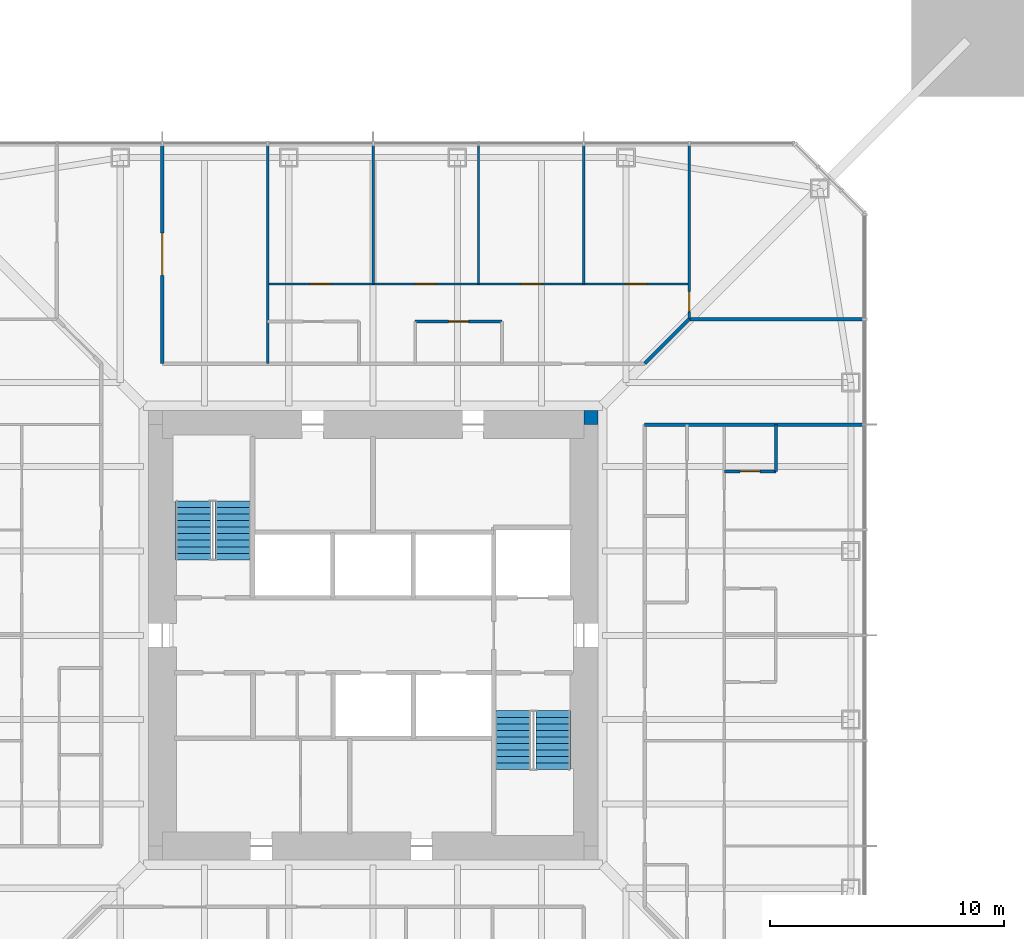
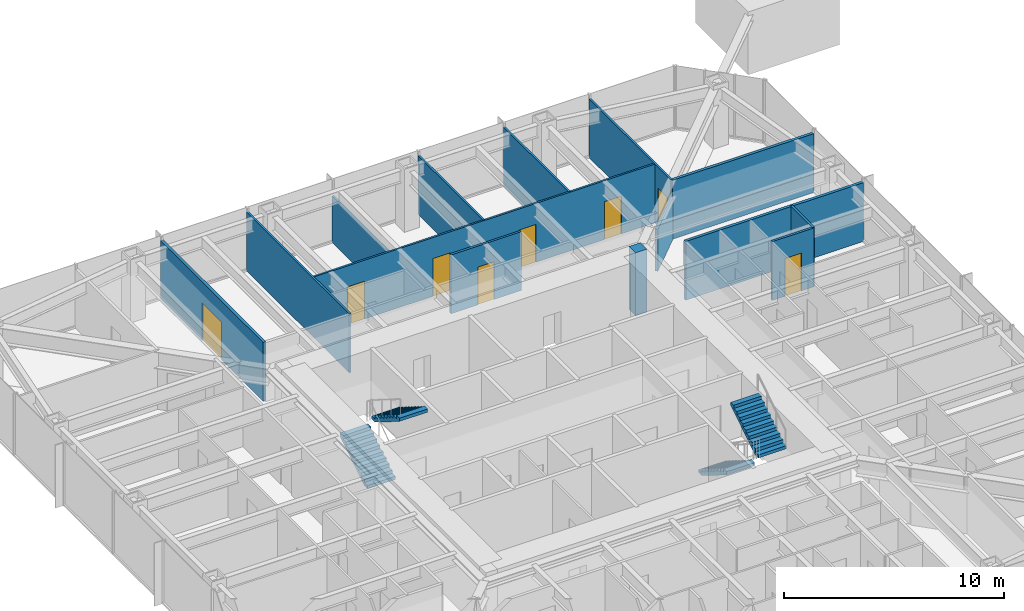
# One storey, part 10 of 14: 14 walls, 8 doors, 4 stair flights, 8 openings, 2 elements without a shape of their own.
"""IFC4 building model written with IfcOpenShell, lengths in metres."""

from ifc_helpers import new_model, si_unit, direction, frame, frame_2d, origin, place, context, subcontext, project, spatial, polyline, rectangle, outline, extrude, material, layer, layer_set, constituent, constituent_set, type_object, element, fill, aggregate, save


model = new_model("IFC4")

# Units and contexts
model_context = context("Model", 3, precision=1e-05, world=origin(), true_north=direction((0.0, 1.0)))
body_context = subcontext(model_context, "Body", "Model", "MODEL_VIEW")
ifc_project = project(units=[si_unit("LENGTHUNIT", "METRE"), si_unit("AREAUNIT", "SQUARE_METRE"), si_unit("VOLUMEUNIT", "CUBIC_METRE"), si_unit("PLANEANGLEUNIT", "RADIAN"), si_unit("MASSUNIT", "GRAM", prefix="KILO")], contexts=[model_context])

# Site, building, storey
site_placement = place(None, origin())
site = spatial("IfcSite", under=ifc_project, at=site_placement, CompositionType="ELEMENT")
building_placement = place(site_placement, origin())
building = spatial("IfcBuilding", under=site, at=building_placement, Name="Iwan Alto Co-Living Towers", CompositionType="ELEMENT")
storey_placement = place(building_placement, frame((0.0, 0.0, 136.5)))
storey = spatial("IfcBuildingStorey", under=building, at=storey_placement, Name="L37", CompositionType="ELEMENT", Elevation=136.5)

# Walls
ifc_material_1 = material(Name="Gypsum board")
ifc_layer_1 = layer(ifc_material_1, 0.02490234375, Name="Board", Category="Finish")
ifc_material_2 = material(Name="Steel ASTM A1003 ST33H cold-formed studs", Category="steel")
ifc_layer_2 = layer(ifc_material_2, 0.10009765625, Name="Studs", Category="Framing")
ifc_layer_3 = layer(ifc_material_1, 0.02490234375, Name="Board", Category="Finish")
ifc_layer_set_1 = layer_set([ifc_layer_1, ifc_layer_2, ifc_layer_3], Name="CORRIDOR WALL 150")
wall_type_1 = type_object("IfcWallType", Name="CORRIDOR WALL 150", PredefinedType="PARTITIONING", material=ifc_layer_set_1)
wall_1_placement = place(storey_placement, frame((11.60009765625, 9.0, 0.0), z_axis=(0.0, 0.0, 1.0), x_axis=(1.0, 0.0, 0.0)))
element("IfcWall", 1, at=wall_1_placement, inside=storey, type_object=wall_type_1, Name="Partition L37", PredefinedType="PARTITIONING", context=body_context, shape_type="SweptSolid", body=[
    extrude(rectangle(XDim=9.33984375, YDim=0.14990234375, at=frame_2d((4.669921875, 0.0))), origin(), (0.0, 0.0, 1.0), 3.27001953125),
])
wall_2_placement = place(storey_placement, frame((13.5, 13.5, 0.0), z_axis=(0.0, 0.0, 1.0), x_axis=(1.0, 0.0, 0.0)))
element("IfcWall", 2, at=wall_2_placement, inside=storey, type_object=wall_type_1, Name="Partition L37", PredefinedType="PARTITIONING", context=body_context, shape_type="SweptSolid", body=[
    extrude(rectangle(XDim=7.43994140625, YDim=0.14990234375, at=frame_2d((3.719970703125, 0.0))), origin(), (0.0, 0.0, 1.0), 3.27001953125),
])
wall_3_placement = place(storey_placement, frame((11.60009765625, 11.60009765625, 0.0), z_axis=(0.0, 0.0, 1.0), x_axis=(0.707106781187, 0.707106781187, 0.0)))
element("IfcWall", 3, at=wall_3_placement, inside=storey, type_object=wall_type_1, Name="Partition L37", PredefinedType="PARTITIONING", context=body_context, shape_type="SweptSolid", body=[
    extrude(rectangle(XDim=2.686767578125, YDim=0.14990234375, at=frame_2d((1.34326171875, 0.0))), origin(), (0.0, 0.0, 1.0), 2.343017578125),
])

# Wall, opening, door
wall_4_placement = place(storey_placement, frame((-9.0, 11.60009765625, 0.0), z_axis=(0.0, 0.0, 1.0), x_axis=(0.0, 1.0, 0.0)))
wall_4 = element("IfcWall", 4, at=wall_4_placement, inside=storey, type_object=wall_type_1, Name="Partition L37", PredefinedType="PARTITIONING", context=body_context, shape_type="SweptSolid", body=[
    extrude(rectangle(XDim=9.33984375, YDim=0.14990234375, at=frame_2d((4.669921875, 0.0))), origin(), (0.0, 0.0, 1.0), 3.27001953125),
])
opening_1_placement = place(wall_4_placement, frame((3.77001953125, 0.0, 0.0)))
opening_1 = element("IfcOpeningElement", 5, at=opening_1_placement, cuts=wall_4, Name="Opening D9", PredefinedType="OPENING", context=body_context, shape_type="SweptSolid", body=[
    extrude(rectangle(XDim=1.800048828125, YDim=2.10009765625, at=frame_2d((0.89990234375, 1.050048828125))), frame((0.0, 0.0849609375, 0.0), z_axis=(0.0, -1.0, 0.0), x_axis=(1.0, 0.0, 0.0)), (0.0, 0.0, 1.0), 0.169921875),
])
ifc_material_3 = material(Name="Steel frame with timber leaf", Category="steel")
door_type_1 = type_object("IfcDoorType", Name="LOUNGE DOOR FD30S 1800X2100", OperationType="DOUBLE_DOOR_SINGLE_SWING", PredefinedType="DOOR", material=ifc_material_3)
door_1_placement = place(opening_1_placement, frame((1.800048828125, 0.0, 0.0), z_axis=(0.0, 0.0, 1.0), x_axis=(-1.0, 0.0, 0.0)))
door_1 = element("IfcDoor", 6, at=door_1_placement, inside=storey, type_object=door_type_1, Name="Reading room door L37", OperationType="DOUBLE_DOOR_SINGLE_SWING", OverallHeight=2.10009765625, OverallWidth=1.800048828125, PredefinedType="DOOR", context=body_context, shape_type="SweptSolid", body=[
    extrude(rectangle(XDim=1.800048828125, YDim=2.10009765625, at=frame_2d((0.89990234375, 1.050048828125))), frame((0.0, 0.02490234375, 0.0), z_axis=(0.0, -1.0, 0.0), x_axis=(1.0, 0.0, 0.0)), (0.0, 0.0, 1.0), 0.050048828125),
])
fill(opening_1, door_1)

# Wall, openings, doors
ifc_layer_4 = layer(ifc_material_1, 0.012451171875, Name="Board", Category="Finish")
ifc_layer_5 = layer(ifc_material_2, 0.074951171875, Name="Studs", Category="Framing")
ifc_layer_6 = layer(ifc_material_1, 0.012451171875, Name="Board", Category="Finish")
ifc_layer_set_2 = layer_set([ifc_layer_4, ifc_layer_5, ifc_layer_6], Name="PARTITION 100")
wall_type_2 = type_object("IfcWallType", Name="PARTITION 100", PredefinedType="PARTITIONING", material=ifc_layer_set_2)
wall_5_placement = place(storey_placement, frame((-4.5, 15.0, 0.0), z_axis=(0.0, 0.0, 1.0), x_axis=(1.0, 0.0, 0.0)))
wall_5 = element("IfcWall", 7, at=wall_5_placement, inside=storey, type_object=wall_type_2, Name="Partition L37", PredefinedType="PARTITIONING", context=body_context, shape_type="SweptSolid", body=[
    extrude(rectangle(XDim=18.0, YDim=0.10009765625, at=frame_2d((9.0, 0.0))), origin(), (0.0, 0.0, 1.0), 3.27001953125),
])
opening_2_placement = place(wall_5_placement, frame((15.300048828125, 0.0, 0.0)))
opening_2 = element("IfcOpeningElement", 8, at=opening_2_placement, cuts=wall_5, Name="Opening D1", PredefinedType="OPENING", context=body_context, shape_type="SweptSolid", body=[
    extrude(rectangle(XDim=0.89990234375, YDim=2.10009765625, at=frame_2d((0.449951171875, 1.050048828125))), frame((0.0, 0.06005859375, 0.0), z_axis=(0.0, -1.0, 0.0), x_axis=(1.0, 0.0, 0.0)), (0.0, 0.0, 1.0), 0.1201171875),
])
opening_3_placement = place(wall_5_placement, frame((10.800048828125, 0.0, 0.0)))
opening_3 = element("IfcOpeningElement", 9, at=opening_3_placement, cuts=wall_5, Name="Opening D1", PredefinedType="OPENING", context=body_context, shape_type="SweptSolid", body=[
    extrude(rectangle(XDim=0.89990234375, YDim=2.10009765625, at=frame_2d((0.449951171875, 1.050048828125))), frame((0.0, 0.06005859375, 0.0), z_axis=(0.0, -1.0, 0.0), x_axis=(1.0, 0.0, 0.0)), (0.0, 0.0, 1.0), 0.1201171875),
])
opening_4_placement = place(wall_5_placement, frame((6.300048828125, 0.0, 0.0)))
opening_4 = element("IfcOpeningElement", 10, at=opening_4_placement, cuts=wall_5, Name="Opening D1", PredefinedType="OPENING", context=body_context, shape_type="SweptSolid", body=[
    extrude(rectangle(XDim=0.89990234375, YDim=2.10009765625, at=frame_2d((0.449951171875, 1.050048828125))), frame((0.0, 0.06005859375, 0.0), z_axis=(0.0, -1.0, 0.0), x_axis=(1.0, 0.0, 0.0)), (0.0, 0.0, 1.0), 0.1201171875),
])
opening_5_placement = place(wall_5_placement, frame((1.800048828125, 0.0, 0.0)))
opening_5 = element("IfcOpeningElement", 11, at=opening_5_placement, cuts=wall_5, Name="Opening D1", PredefinedType="OPENING", context=body_context, shape_type="SweptSolid", body=[
    extrude(rectangle(XDim=0.89990234375, YDim=2.10009765625, at=frame_2d((0.449951171875, 1.050048828125))), frame((0.0, 0.06005859375, 0.0), z_axis=(0.0, -1.0, 0.0), x_axis=(1.0, 0.0, 0.0)), (0.0, 0.0, 1.0), 0.1201171875),
])
ifc_material_4 = material(Name="Timber leaf in steel frame", Category="steel")
door_type_2 = type_object("IfcDoorType", Name="BEDROOM DOOR 900X2100", OperationType="SINGLE_SWING_LEFT", PredefinedType="DOOR", material=ifc_material_4)
door_2_placement = place(opening_2_placement, frame((0.89990234375, 0.0, 0.0), z_axis=(0.0, 0.0, 1.0), x_axis=(-1.0, 0.0, 0.0)))
door_2 = element("IfcDoor", 12, at=door_2_placement, inside=storey, type_object=door_type_2, Name="Study bedroom door L37", OperationType="SINGLE_SWING_LEFT", OverallHeight=2.10009765625, OverallWidth=0.89990234375, PredefinedType="DOOR", context=body_context, shape_type="SweptSolid", body=[
    extrude(rectangle(XDim=0.89990234375, YDim=2.10009765625, at=frame_2d((0.449951171875, 1.050048828125))), frame((0.0, 0.02490234375, 0.0), z_axis=(0.0, -1.0, 0.0), x_axis=(1.0, 0.0, 0.0)), (0.0, 0.0, 1.0), 0.050048828125),
])
fill(opening_2, door_2)
door_3_placement = place(opening_3_placement, frame((0.89990234375, 0.0, 0.0), z_axis=(0.0, 0.0, 1.0), x_axis=(-1.0, 0.0, 0.0)))
door_3 = element("IfcDoor", 13, at=door_3_placement, inside=storey, type_object=door_type_2, Name="Study bedroom door L37", OperationType="SINGLE_SWING_LEFT", OverallHeight=2.10009765625, OverallWidth=0.89990234375, PredefinedType="DOOR", context=body_context, shape_type="SweptSolid", body=[
    extrude(rectangle(XDim=0.89990234375, YDim=2.10009765625, at=frame_2d((0.449951171875, 1.050048828125))), frame((0.0, 0.02490234375, 0.0), z_axis=(0.0, -1.0, 0.0), x_axis=(1.0, 0.0, 0.0)), (0.0, 0.0, 1.0), 0.050048828125),
])
fill(opening_3, door_3)
door_4_placement = place(opening_4_placement, frame((0.89990234375, 0.0, 0.0), z_axis=(0.0, 0.0, 1.0), x_axis=(-1.0, 0.0, 0.0)))
door_4 = element("IfcDoor", 14, at=door_4_placement, inside=storey, type_object=door_type_2, Name="Study bedroom door L37", OperationType="SINGLE_SWING_RIGHT", OverallHeight=2.10009765625, OverallWidth=0.89990234375, PredefinedType="DOOR", context=body_context, shape_type="SweptSolid", body=[
    extrude(rectangle(XDim=0.89990234375, YDim=2.10009765625, at=frame_2d((0.449951171875, 1.050048828125))), frame((0.0, 0.02490234375, 0.0), z_axis=(0.0, -1.0, 0.0), x_axis=(1.0, 0.0, 0.0)), (0.0, 0.0, 1.0), 0.050048828125),
])
fill(opening_4, door_4)
door_5_placement = place(opening_5_placement, frame((0.89990234375, 0.0, 0.0), z_axis=(0.0, 0.0, 1.0), x_axis=(-1.0, 0.0, 0.0)))
door_5 = element("IfcDoor", 15, at=door_5_placement, inside=storey, type_object=door_type_2, Name="Study bedroom door L37", OperationType="SINGLE_SWING_RIGHT", OverallHeight=2.10009765625, OverallWidth=0.89990234375, PredefinedType="DOOR", context=body_context, shape_type="SweptSolid", body=[
    extrude(rectangle(XDim=0.89990234375, YDim=2.10009765625, at=frame_2d((0.449951171875, 1.050048828125))), frame((0.0, 0.02490234375, 0.0), z_axis=(0.0, -1.0, 0.0), x_axis=(1.0, 0.0, 0.0)), (0.0, 0.0, 1.0), 0.050048828125),
])
fill(opening_5, door_5)

# Wall, opening, door
wall_6_placement = place(storey_placement, frame((13.5, 13.5, 0.0), z_axis=(0.0, 0.0, 1.0), x_axis=(0.0, 1.0, 0.0)))
wall_6 = element("IfcWall", 16, at=wall_6_placement, inside=storey, type_object=wall_type_2, Name="Partition L37", PredefinedType="PARTITIONING", context=body_context, shape_type="SweptSolid", body=[
    extrude(rectangle(XDim=7.43994140625, YDim=0.10009765625, at=frame_2d((3.719970703125, 0.0))), origin(), (0.0, 0.0, 1.0), 3.27001953125),
])
opening_6_placement = place(wall_6_placement, frame((0.324951171875, 0.0, 0.0)))
opening_6 = element("IfcOpeningElement", 17, at=opening_6_placement, cuts=wall_6, Name="Opening D2", PredefinedType="OPENING", context=body_context, shape_type="SweptSolid", body=[
    extrude(rectangle(XDim=0.85009765625, YDim=2.10009765625, at=frame_2d((0.425048828125, 1.050048828125))), frame((0.0, 0.06005859375, 0.0), z_axis=(0.0, -1.0, 0.0), x_axis=(1.0, 0.0, 0.0)), (0.0, 0.0, 1.0), 0.1201171875),
])
ifc_material_5 = material(Name="Timber leaf in steel frame", Category="steel")
door_type_3 = type_object("IfcDoorType", Name="ROOM DOOR 850X2100", OperationType="SINGLE_SWING_LEFT", PredefinedType="DOOR", material=ifc_material_5)
door_6_placement = place(opening_6_placement, frame((0.85009765625, 0.0, 0.0), z_axis=(0.0, 0.0, 1.0), x_axis=(-1.0, 0.0, 0.0)))
door_6 = element("IfcDoor", 18, at=door_6_placement, inside=storey, type_object=door_type_3, Name="Shared kitchen and lounge door L37", OperationType="SINGLE_SWING_RIGHT", OverallHeight=2.10009765625, OverallWidth=0.85009765625, PredefinedType="DOOR", context=body_context, shape_type="SweptSolid", body=[
    extrude(rectangle(XDim=0.85009765625, YDim=2.10009765625, at=frame_2d((0.425048828125, 1.050048828125))), frame((0.0, 0.02490234375, 0.0), z_axis=(0.0, -1.0, 0.0), x_axis=(1.0, 0.0, 0.0)), (0.0, 0.0, 1.0), 0.050048828125),
])
fill(opening_6, door_6)

# Walls
for number, where, z_axis, x_axis, name in (
    (19, (9.0, 15.0, 0.0), (0.0, 0.0, 1.0), (0.0, 1.0, 0.0), "Partition L37"),
    (20, (4.5, 15.0, 0.0), (0.0, 0.0, 1.0), (0.0, 1.0, 0.0), "Partition L37"),
):
    element("IfcWall", number, at=place(storey_placement, frame(where, z_axis=z_axis, x_axis=x_axis)), inside=storey, type_object=wall_type_2, Name=name, PredefinedType="PARTITIONING", context=body_context, shape_type="SweptSolid", body=[
        extrude(rectangle(XDim=5.93994140625, YDim=0.10009765625, at=frame_2d((2.969970703125, 0.0))), origin(), (0.0, 0.0, 1.0), 3.27001953125),
    ])
wall_7_placement = place(storey_placement, frame((0.0, 15.0, 0.0), z_axis=(0.0, 0.0, 1.0), x_axis=(0.0, 1.0, 0.0)))
element("IfcWall", 21, at=wall_7_placement, inside=storey, type_object=wall_type_2, Name="Partition L37", PredefinedType="PARTITIONING", context=body_context, shape_type="SweptSolid", body=[
    extrude(rectangle(XDim=5.93994140625, YDim=0.10009765625, at=frame_2d((2.969970703125, 0.0))), origin(), (0.0, 0.0, 1.0), 2.586669921875),
])
wall_8_placement = place(storey_placement, frame((-4.5, 11.60009765625, 0.0), z_axis=(0.0, 0.0, 1.0), x_axis=(0.0, 1.0, 0.0)))
element("IfcWall", 22, at=wall_8_placement, inside=storey, type_object=wall_type_2, Name="Partition L37", PredefinedType="PARTITIONING", context=body_context, shape_type="SweptSolid", body=[
    extrude(rectangle(XDim=9.33984375, YDim=0.10009765625, at=frame_2d((4.669921875, 0.0))), origin(), (0.0, 0.0, 1.0), 3.27001953125),
])
ifc_material_6 = material(Name="Concrete f'c 70 MPa", Category="concrete")
ifc_layer_7 = layer(ifc_material_6, 0.60009765625)
ifc_layer_set_3 = layer_set([ifc_layer_7], Name="T1 CORE CORNER FILL 600")
wall_type_3 = type_object("IfcWallType", Name="T1 CORE CORNER FILL 600", PredefinedType="SOLIDWALL", material=ifc_layer_set_3)
wall_9_placement = place(storey_placement, frame((9.0, 9.300048828125, 0.0), z_axis=(0.0, 0.0, 1.0), x_axis=(1.0, 0.0, 0.0)))
element("IfcWall", 23, at=wall_9_placement, inside=storey, type_object=wall_type_3, Name="T1 core corner NE L37", PredefinedType="SOLIDWALL", context=body_context, shape_type="SweptSolid", body=[
    extrude(rectangle(XDim=0.60009765625, YDim=0.60009765625, at=frame_2d((0.300048828125, 0.0))), origin(), (0.0, 0.0, 1.0), 3.5),
])

# Wall, opening, door
ifc_material_7 = material(Name="Cement board")
ifc_layer_8 = layer(ifc_material_7, 0.012451171875, Name="Board", Category="Finish")
ifc_layer_9 = layer(ifc_material_2, 0.094970703125, Name="Studs", Category="Framing")
ifc_layer_10 = layer(ifc_material_7, 0.012451171875, Name="Board", Category="Finish")
ifc_layer_set_4 = layer_set([ifc_layer_8, ifc_layer_9, ifc_layer_10], Name="WET AREA PARTITION 120")
wall_type_4 = type_object("IfcWallType", Name="WET AREA PARTITION 120", PredefinedType="PARTITIONING", material=ifc_layer_set_4)
wall_10_placement = place(storey_placement, frame((15.0, 7.0, 0.0), z_axis=(0.0, 0.0, 1.0), x_axis=(1.0, 0.0, 0.0)))
wall_10 = element("IfcWall", 24, at=wall_10_placement, inside=storey, type_object=wall_type_4, Name="Partition L37", PredefinedType="PARTITIONING", context=body_context, shape_type="SweptSolid", body=[
    extrude(rectangle(XDim=2.199951171875, YDim=0.1201171875, at=frame_2d((1.10009765625, 0.0))), origin(), (0.0, 0.0, 1.0), 3.27001953125),
])
opening_7_placement = place(wall_10_placement, frame((0.675048828125, 0.0, 0.0)))
opening_7 = element("IfcOpeningElement", 25, at=opening_7_placement, cuts=wall_10, Name="Opening D2", PredefinedType="OPENING", context=body_context, shape_type="SweptSolid", body=[
    extrude(rectangle(XDim=0.85009765625, YDim=2.10009765625, at=frame_2d((0.425048828125, 1.050048828125))), frame((0.0, 0.070068359375, 0.0), z_axis=(0.0, -1.0, 0.0), x_axis=(1.0, 0.0, 0.0)), (0.0, 0.0, 1.0), 0.14013671875),
])
door_7_placement = place(opening_7_placement, frame((0.85009765625, 0.0, 0.0), z_axis=(0.0, 0.0, 1.0), x_axis=(-1.0, 0.0, 0.0)))
door_7 = element("IfcDoor", 26, at=door_7_placement, inside=storey, type_object=door_type_3, Name="En-suite shower room door L37", OperationType="SINGLE_SWING_RIGHT", OverallHeight=2.10009765625, OverallWidth=0.85009765625, PredefinedType="DOOR", context=body_context, shape_type="SweptSolid", body=[
    extrude(rectangle(XDim=0.85009765625, YDim=2.10009765625, at=frame_2d((0.425048828125, 1.050048828125))), frame((0.0, 0.02490234375, 0.0), z_axis=(0.0, -1.0, 0.0), x_axis=(1.0, 0.0, 0.0)), (0.0, 0.0, 1.0), 0.050048828125),
])
fill(opening_7, door_7)

wall_11_placement = place(storey_placement, frame((1.800048828125, 13.39990234375, 0.0), z_axis=(0.0, 0.0, 1.0), x_axis=(1.0, 0.0, 0.0)))
wall_11 = element("IfcWall", 27, at=wall_11_placement, inside=storey, type_object=wall_type_4, Name="Partition L37", PredefinedType="PARTITIONING", context=body_context, shape_type="SweptSolid", body=[
    extrude(rectangle(XDim=3.699951171875, YDim=0.1201171875, at=frame_2d((1.85009765625, 0.0))), origin(), (0.0, 0.0, 1.0), 3.27001953125),
])
opening_8_placement = place(wall_11_placement, frame((1.425048828125, 0.0, 0.0)))
opening_8 = element("IfcOpeningElement", 28, at=opening_8_placement, cuts=wall_11, Name="Opening D2", PredefinedType="OPENING", context=body_context, shape_type="SweptSolid", body=[
    extrude(rectangle(XDim=0.85009765625, YDim=2.10009765625, at=frame_2d((0.425048828125, 1.050048828125))), frame((0.0, 0.070068359375, 0.0), z_axis=(0.0, -1.0, 0.0), x_axis=(1.0, 0.0, 0.0)), (0.0, 0.0, 1.0), 0.14013671875),
])
door_8_placement = place(opening_8_placement, origin())
door_8 = element("IfcDoor", 29, at=door_8_placement, inside=storey, type_object=door_type_3, Name="Accessible bathroom door L37", OperationType="SINGLE_SWING_LEFT", OverallHeight=2.10009765625, OverallWidth=0.85009765625, PredefinedType="DOOR", context=body_context, shape_type="SweptSolid", body=[
    extrude(rectangle(XDim=0.85009765625, YDim=2.10009765625, at=frame_2d((0.425048828125, 1.050048828125))), frame((0.0, 0.02490234375, 0.0), z_axis=(0.0, -1.0, 0.0), x_axis=(1.0, 0.0, 0.0)), (0.0, 0.0, 1.0), 0.050048828125),
])
fill(opening_8, door_8)

# Wall
wall_12_placement = place(storey_placement, frame((17.199951171875, 7.0, 0.0), z_axis=(0.0, 0.0, 1.0), x_axis=(0.0, 1.0, 0.0)))
element("IfcWall", 30, at=wall_12_placement, inside=storey, type_object=wall_type_4, Name="Partition L37", PredefinedType="PARTITIONING", context=body_context, shape_type="SweptSolid", body=[
    extrude(rectangle(XDim=2.0, YDim=0.1201171875, at=frame_2d((1.0, 0.0))), origin(), (0.0, 0.0, 1.0), 3.27001953125),
])

# Stair, stair flights
ifc_material_8 = material(Name="Steel ASTM A36", Category="steel")
ifc_constituent_1 = constituent(ifc_material_8, Name="Stringers", Category="LoadBearing")
ifc_material_9 = material(Name="Concrete f'c 30 MPa", Category="concrete")
ifc_constituent_2 = constituent(ifc_material_9, Name="Tread fill", Category="Finish")
ifc_constituent_set_1 = constituent_set(constituents=[ifc_constituent_1, ifc_constituent_2], Name="STAIR 3500 TWO-FLIGHT T1 CORE")
stair_type = type_object("IfcStairType", Name="STAIR 3500 TWO-FLIGHT T1 CORE", PredefinedType="HALF_TURN_STAIR", material=ifc_constituent_set_1)
stair_1_placement = place(storey_placement, origin())
stair_1 = element("IfcStair", 31, at=stair_1_placement, inside=storey, type_object=stair_type, Name="Stair T1-S1 L37 to L38", PredefinedType="HALF_TURN_STAIR")
ifc_constituent_3 = constituent(ifc_material_8, Name="Stringers", Category="LoadBearing")
ifc_constituent_4 = constituent(ifc_material_9, Name="Tread fill", Category="Finish")
ifc_constituent_set_2 = constituent_set(constituents=[ifc_constituent_3, ifc_constituent_4], Name="STAIR FLIGHT 10 RISERS 280 GOING")
stair_flight_type = type_object("IfcStairFlightType", Name="STAIR FLIGHT 10 RISERS 280 GOING", PredefinedType="STRAIGHT", material=ifc_constituent_set_2)
stair_flight_1_placement = place(storey_placement, frame((-7.68994140625, 3.219970703125, 0.0), z_axis=(0.0, 0.0, 1.0), x_axis=(0.0, 1.0, 0.0)))
stair_flight_1 = element("IfcStairFlight", 32, at=stair_flight_1_placement, type_object=stair_flight_type, Name="T1-S1 flight 1", NumberOfRisers=10, NumberOfTreads=9, PredefinedType="STRAIGHT", RiserHeight=0.175, TreadLength=0.28, context=body_context, shape_type="SweptSolid", body=[
    extrude(outline(polyline([(0.0, 0.0), (0.0, 0.175048828125), (0.280029296875, 0.175048828125), (0.280029296875, 0.35009765625), (0.56005859375, 0.35009765625), (0.56005859375, 0.52490234375), (0.840087890625, 0.52490234375), (0.840087890625, 0.699951171875), (1.1201171875, 0.699951171875), (1.1201171875, 0.875), (1.39990234375, 0.875), (1.39990234375, 1.050048828125), (1.679931640625, 1.050048828125), (1.679931640625, 1.22509765625), (1.9599609375, 1.22509765625), (1.9599609375, 1.39990234375), (2.239990234375, 1.39990234375), (2.239990234375, 1.574951171875), (2.52001953125, 1.574951171875), (2.52001953125, 1.75), (2.52001953125, 1.398193359375), (0.28271484375, 0.0), (0.0, 0.0)])), frame((0.0, 0.739990234375, 0.0), z_axis=(0.0, -1.0, 0.0), x_axis=(1.0, 0.0, 0.0)), (0.0, 0.0, 1.0), 1.47998046875),
])
stair_flight_2_placement = place(storey_placement, frame((-6.010009765625, 5.739990234375, 1.75), z_axis=(0.0, 0.0, 1.0), x_axis=(0.0, -1.0, 0.0)))
stair_flight_2 = element("IfcStairFlight", 33, at=stair_flight_2_placement, type_object=stair_flight_type, Name="T1-S1 flight 2", NumberOfRisers=10, NumberOfTreads=9, PredefinedType="STRAIGHT", RiserHeight=0.175, TreadLength=0.28, context=body_context, shape_type="SweptSolid", body=[
    extrude(outline(polyline([(0.0, 0.0), (0.0, 0.175048828125), (0.280029296875, 0.175048828125), (0.280029296875, 0.35009765625), (0.56005859375, 0.35009765625), (0.56005859375, 0.52490234375), (0.840087890625, 0.52490234375), (0.840087890625, 0.699951171875), (1.1201171875, 0.699951171875), (1.1201171875, 0.875), (1.39990234375, 0.875), (1.39990234375, 1.050048828125), (1.679931640625, 1.050048828125), (1.679931640625, 1.22509765625), (1.9599609375, 1.22509765625), (1.9599609375, 1.39990234375), (2.239990234375, 1.39990234375), (2.239990234375, 1.574951171875), (2.52001953125, 1.574951171875), (2.52001953125, 1.75), (2.52001953125, 1.398193359375), (0.28271484375, 0.0), (0.0, 0.0)])), frame((0.0, 0.739990234375, 0.0), z_axis=(0.0, -1.0, 0.0), x_axis=(1.0, 0.0, 0.0)), (0.0, 0.0, 1.0), 1.47998046875),
])
aggregate(stair_1, [stair_flight_1, stair_flight_2])

stair_2_placement = place(storey_placement, origin())
stair_2 = element("IfcStair", 34, at=stair_2_placement, inside=storey, type_object=stair_type, Name="Stair T1-S2 L37 to L38", PredefinedType="HALF_TURN_STAIR")
stair_flight_3_placement = place(storey_placement, frame((6.010009765625, -3.219970703125, 0.0), z_axis=(0.0, 0.0, 1.0), x_axis=(0.0, -1.0, 0.0)))
stair_flight_3 = element("IfcStairFlight", 35, at=stair_flight_3_placement, type_object=stair_flight_type, Name="T1-S2 flight 1", NumberOfRisers=10, NumberOfTreads=9, PredefinedType="STRAIGHT", RiserHeight=0.175, TreadLength=0.28, context=body_context, shape_type="SweptSolid", body=[
    extrude(outline(polyline([(0.0, 0.0), (0.0, 0.175048828125), (0.280029296875, 0.175048828125), (0.280029296875, 0.35009765625), (0.56005859375, 0.35009765625), (0.56005859375, 0.52490234375), (0.840087890625, 0.52490234375), (0.840087890625, 0.699951171875), (1.1201171875, 0.699951171875), (1.1201171875, 0.875), (1.39990234375, 0.875), (1.39990234375, 1.050048828125), (1.679931640625, 1.050048828125), (1.679931640625, 1.22509765625), (1.9599609375, 1.22509765625), (1.9599609375, 1.39990234375), (2.239990234375, 1.39990234375), (2.239990234375, 1.574951171875), (2.52001953125, 1.574951171875), (2.52001953125, 1.75), (2.52001953125, 1.398193359375), (0.28271484375, 0.0), (0.0, 0.0)])), frame((0.0, 0.739990234375, 0.0), z_axis=(0.0, -1.0, 0.0), x_axis=(1.0, 0.0, 0.0)), (0.0, 0.0, 1.0), 1.47998046875),
])
stair_flight_4_placement = place(storey_placement, frame((7.68994140625, -5.739990234375, 1.75), z_axis=(0.0, 0.0, 1.0), x_axis=(0.0, 1.0, 0.0)))
stair_flight_4 = element("IfcStairFlight", 36, at=stair_flight_4_placement, type_object=stair_flight_type, Name="T1-S2 flight 2", NumberOfRisers=10, NumberOfTreads=9, PredefinedType="STRAIGHT", RiserHeight=0.175, TreadLength=0.28, context=body_context, shape_type="SweptSolid", body=[
    extrude(outline(polyline([(0.0, 0.0), (0.0, 0.175048828125), (0.280029296875, 0.175048828125), (0.280029296875, 0.35009765625), (0.56005859375, 0.35009765625), (0.56005859375, 0.52490234375), (0.840087890625, 0.52490234375), (0.840087890625, 0.699951171875), (1.1201171875, 0.699951171875), (1.1201171875, 0.875), (1.39990234375, 0.875), (1.39990234375, 1.050048828125), (1.679931640625, 1.050048828125), (1.679931640625, 1.22509765625), (1.9599609375, 1.22509765625), (1.9599609375, 1.39990234375), (2.239990234375, 1.39990234375), (2.239990234375, 1.574951171875), (2.52001953125, 1.574951171875), (2.52001953125, 1.75), (2.52001953125, 1.398193359375), (0.28271484375, 0.0), (0.0, 0.0)])), frame((0.0, 0.739990234375, 0.0), z_axis=(0.0, -1.0, 0.0), x_axis=(1.0, 0.0, 0.0)), (0.0, 0.0, 1.0), 1.47998046875),
])
aggregate(stair_2, [stair_flight_3, stair_flight_4])

save(model, "model.ifc")
